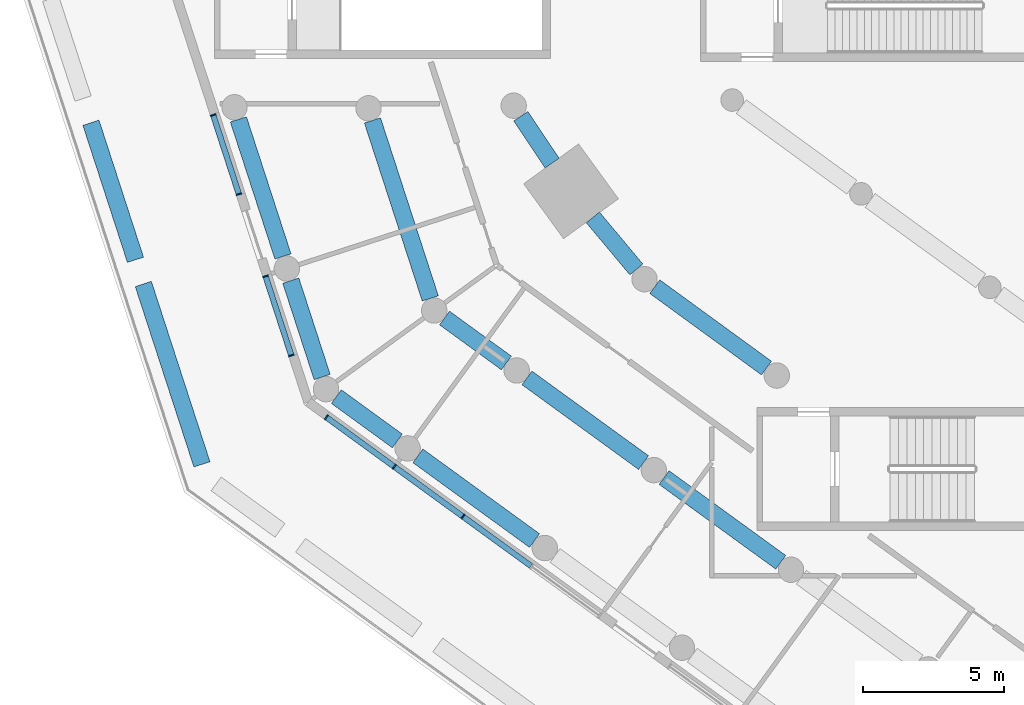
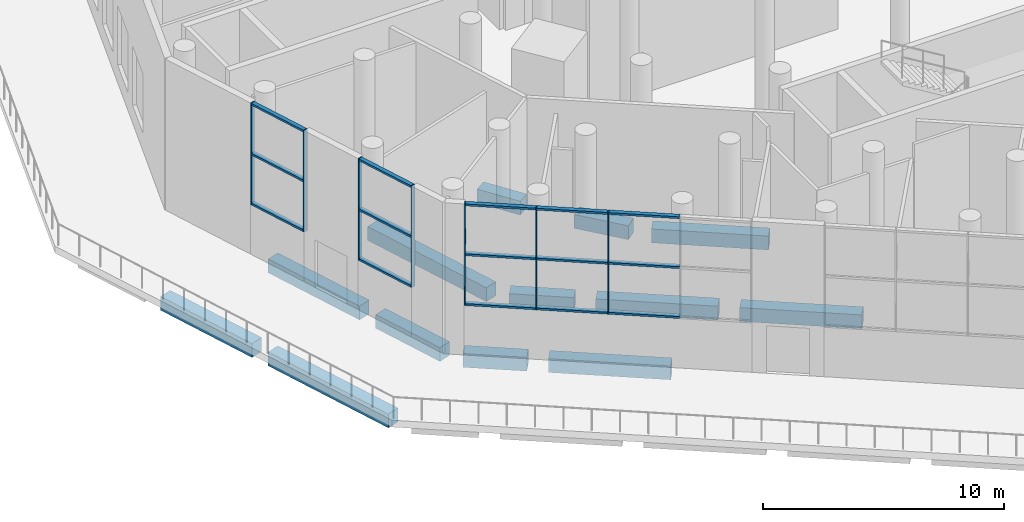
# One storey, part 3 of 23: 22 members, 13 beams, 3 elements without a shape of their own.
"""IFC4 building model written with IfcOpenShell, lengths in metres."""

from ifc_helpers import new_model, si_unit, direction, frame, origin, origin_2d, place, context, subcontext, project, spatial, rectangle, extrude, material, material_profile, profile_set, type_object, element, aggregate, save


model = new_model("IFC4")

# Units and contexts
model_context = context("Model", 3, precision=1e-05, world=origin(), true_north=direction((0.0, 1.0)))
body_context = subcontext(model_context, "Body", "Model", "MODEL_VIEW")
ifc_project = project(units=[si_unit("LENGTHUNIT", "METRE"), si_unit("AREAUNIT", "SQUARE_METRE"), si_unit("VOLUMEUNIT", "CUBIC_METRE"), si_unit("PLANEANGLEUNIT", "RADIAN"), si_unit("MASSUNIT", "GRAM", prefix="KILO")], contexts=[model_context])

# Site, building, storey
site_placement = place(None, origin())
site = spatial("IfcSite", under=ifc_project, at=site_placement, CompositionType="ELEMENT")
building_placement = place(site_placement, origin())
building = spatial("IfcBuilding", under=site, at=building_placement, Name="White Candle Pilgrim Tower", CompositionType="ELEMENT")
storey_placement = place(building_placement, frame((0.0, 0.0, 15.0)))
storey = spatial("IfcBuildingStorey", under=building, at=storey_placement, Name="L02", CompositionType="ELEMENT", Elevation=15.0)

# Curtain wall, members
ifc_material_1 = material(Name="Aluminium and glass", Category="aluminium")
curtain_wall_type = type_object("IfcCurtainWallType", Name="Curtain wall CW2 prayer hall clerestory", PredefinedType="NOTDEFINED", material=ifc_material_1)
curtain_wall_1_placement = place(storey_placement, origin())
curtain_wall_1 = element("IfcCurtainWall", 1, at=curtain_wall_1_placement, inside=storey, type_object=curtain_wall_type, Name="Curtain wall CW2 L02 W chamfer", PredefinedType="NOTDEFINED")
ifc_material_2 = material(Name="Aluminium", Category="aluminium")
ifc_material_profile_1 = material_profile(ifc_material_2, rectangle(XDim=0.199951171875, YDim=0.050048828125, at=origin_2d()), Name="CW2 mullion 50x200")
ifc_profile_set_1 = profile_set([ifc_material_profile_1], Name="Aluminium")
member_type_1 = type_object("IfcMemberType", Name="CW2 mullion 50x200", PredefinedType="MULLION", material=ifc_profile_set_1)
member_1_placement = place(storey_placement, frame((35.756591796875, 56.001708984375, 2.5), z_axis=(0.0, 0.0, 1.0), x_axis=(0.951056514386, 0.309017000251, 0.0)))
member_1 = element("IfcMember", 2, at=member_1_placement, type_object=member_type_1, Name="CW2 mullion 1", PredefinedType="MULLION", context=body_context, shape_type="SweptSolid", body=[
    extrude(rectangle(XDim=0.199951171875, YDim=0.050048828125, at=origin_2d()), origin(), (0.0, 0.0, 1.0), 5.14990234375),
])
member_2_placement = place(storey_placement, frame((36.668212890625, 53.196044921875, 2.5), z_axis=(0.0, 0.0, 1.0), x_axis=(0.951056514386, 0.309017000251, 0.0)))
member_2 = element("IfcMember", 3, at=member_2_placement, type_object=member_type_1, Name="CW2 mullion 2", PredefinedType="MULLION", context=body_context, shape_type="SweptSolid", body=[
    extrude(rectangle(XDim=0.199951171875, YDim=0.050048828125, at=origin_2d()), origin(), (0.0, 0.0, 1.0), 5.14990234375),
])

curtain_wall_2_placement = place(storey_placement, origin())
curtain_wall_2 = element("IfcCurtainWall", 4, at=curtain_wall_2_placement, inside=storey, type_object=curtain_wall_type, Name="Curtain wall CW2 L02 W chamfer", PredefinedType="NOTDEFINED")
member_3_placement = place(storey_placement, frame((37.61083984375, 50.29541015625, 2.5), z_axis=(0.0, 0.0, 1.0), x_axis=(0.951056514456, 0.309017000035, 0.0)))
member_3 = element("IfcMember", 5, at=member_3_placement, type_object=member_type_1, Name="CW2 mullion 1", PredefinedType="MULLION", context=body_context, shape_type="SweptSolid", body=[
    extrude(rectangle(XDim=0.199951171875, YDim=0.050048828125, at=origin_2d()), origin(), (0.0, 0.0, 1.0), 5.14990234375),
])
member_4_placement = place(storey_placement, frame((38.5224609375, 47.48974609375, 2.5), z_axis=(0.0, 0.0, 1.0), x_axis=(0.951056514456, 0.309017000035, 0.0)))
member_4 = element("IfcMember", 6, at=member_4_placement, type_object=member_type_1, Name="CW2 mullion 2", PredefinedType="MULLION", context=body_context, shape_type="SweptSolid", body=[
    extrude(rectangle(XDim=0.199951171875, YDim=0.050048828125, at=origin_2d()), origin(), (0.0, 0.0, 1.0), 5.14990234375),
])

curtain_wall_3_placement = place(storey_placement, origin())
curtain_wall_3 = element("IfcCurtainWall", 7, at=curtain_wall_3_placement, inside=storey, type_object=curtain_wall_type, Name="Curtain wall CW2 L02 SW", PredefinedType="NOTDEFINED")
member_5_placement = place(storey_placement, frame((39.76025390625, 45.3037109375, 2.5), z_axis=(0.0, 0.0, 1.0), x_axis=(0.587785249398, 0.809016996478, 0.0)))
member_5 = element("IfcMember", 8, at=member_5_placement, type_object=member_type_1, Name="CW2 mullion 1", PredefinedType="MULLION", context=body_context, shape_type="SweptSolid", body=[
    extrude(rectangle(XDim=0.199951171875, YDim=0.050048828125, at=origin_2d()), origin(), (0.0, 0.0, 1.0), 5.14990234375),
])
member_6_placement = place(storey_placement, frame((42.167236328125, 43.55517578125, 2.5), z_axis=(0.0, 0.0, 1.0), x_axis=(0.587785249398, 0.809016996478, 0.0)))
member_6 = element("IfcMember", 9, at=member_6_placement, type_object=member_type_1, Name="CW2 mullion 2", PredefinedType="MULLION", context=body_context, shape_type="SweptSolid", body=[
    extrude(rectangle(XDim=0.199951171875, YDim=0.050048828125, at=origin_2d()), origin(), (0.0, 0.0, 1.0), 5.14990234375),
])
member_7_placement = place(storey_placement, frame((44.59423828125, 41.791748046875, 2.5), z_axis=(0.0, 0.0, 1.0), x_axis=(0.587785249398, 0.809016996478, 0.0)))
member_7 = element("IfcMember", 10, at=member_7_placement, type_object=member_type_1, Name="CW2 mullion 3", PredefinedType="MULLION", context=body_context, shape_type="SweptSolid", body=[
    extrude(rectangle(XDim=0.199951171875, YDim=0.050048828125, at=origin_2d()), origin(), (0.0, 0.0, 1.0), 5.14990234375),
])

# Member
ifc_material_profile_2 = material_profile(ifc_material_2, rectangle(XDim=0.199951171875, YDim=0.10009765625, at=origin_2d()), Name="CW2 transom 100x200")
ifc_profile_set_2 = profile_set([ifc_material_profile_2], Name="Aluminium")
member_type_2 = type_object("IfcMemberType", Name="CW2 transom 100x200", PredefinedType="USERDEFINED", material=ifc_profile_set_2)
member_8_placement = place(storey_placement, frame((35.764404296875, 55.97802734375, 2.550048828125), z_axis=(0.309046096893, -0.951047059821, 0.0), x_axis=(0.951047059821, 0.309046096893, 0.0)))
member_8 = element("IfcMember", 11, at=member_8_placement, type_object=member_type_2, Name="CW2 transom 1.1", ObjectType="TRANSOM", PredefinedType="USERDEFINED", context=body_context, shape_type="SweptSolid", body=[
    extrude(rectangle(XDim=0.199951171875, YDim=0.10009765625, at=origin_2d()), origin(), (0.0, 0.0, 1.0), 2.89990234375),
])

member_9_placement = place(storey_placement, frame((35.764404296875, 55.97802734375, 5.074951171875), z_axis=(0.309046096893, -0.951047059821, 0.0), x_axis=(0.951047059821, 0.309046096893, 0.0)))
member_9 = element("IfcMember", 12, at=member_9_placement, type_object=member_type_2, Name="CW2 transom 1.2", ObjectType="TRANSOM", PredefinedType="USERDEFINED", context=body_context, shape_type="SweptSolid", body=[
    extrude(rectangle(XDim=0.199951171875, YDim=0.10009765625, at=origin_2d()), origin(), (0.0, 0.0, 1.0), 2.89990234375),
])

member_10_placement = place(storey_placement, frame((35.764404296875, 55.97802734375, 7.60009765625), z_axis=(0.309046096893, -0.951047059821, 0.0), x_axis=(0.951047059821, 0.309046096893, 0.0)))
member_10 = element("IfcMember", 13, at=member_10_placement, type_object=member_type_2, Name="CW2 transom 1.3", ObjectType="TRANSOM", PredefinedType="USERDEFINED", context=body_context, shape_type="SweptSolid", body=[
    extrude(rectangle(XDim=0.199951171875, YDim=0.10009765625, at=origin_2d()), origin(), (0.0, 0.0, 1.0), 2.89990234375),
])

aggregate(curtain_wall_1, [member_1, member_2, member_8, member_9, member_10])

member_11_placement = place(storey_placement, frame((37.618408203125, 50.271728515625, 2.550048828125), z_axis=(0.309046096893, -0.951047059821, 0.0), x_axis=(0.951047059821, 0.309046096893, 0.0)))
member_11 = element("IfcMember", 14, at=member_11_placement, type_object=member_type_2, Name="CW2 transom 1.1", ObjectType="TRANSOM", PredefinedType="USERDEFINED", context=body_context, shape_type="SweptSolid", body=[
    extrude(rectangle(XDim=0.199951171875, YDim=0.10009765625, at=origin_2d()), origin(), (0.0, 0.0, 1.0), 2.89990234375),
])

member_12_placement = place(storey_placement, frame((37.618408203125, 50.271728515625, 5.074951171875), z_axis=(0.309046096893, -0.951047059821, 0.0), x_axis=(0.951047059821, 0.309046096893, 0.0)))
member_12 = element("IfcMember", 15, at=member_12_placement, type_object=member_type_2, Name="CW2 transom 1.2", ObjectType="TRANSOM", PredefinedType="USERDEFINED", context=body_context, shape_type="SweptSolid", body=[
    extrude(rectangle(XDim=0.199951171875, YDim=0.10009765625, at=origin_2d()), origin(), (0.0, 0.0, 1.0), 2.89990234375),
])

member_13_placement = place(storey_placement, frame((37.618408203125, 50.271728515625, 7.60009765625), z_axis=(0.309046096893, -0.951047059821, 0.0), x_axis=(0.951047059821, 0.309046096893, 0.0)))
member_13 = element("IfcMember", 16, at=member_13_placement, type_object=member_type_2, Name="CW2 transom 1.3", ObjectType="TRANSOM", PredefinedType="USERDEFINED", context=body_context, shape_type="SweptSolid", body=[
    extrude(rectangle(XDim=0.199951171875, YDim=0.10009765625, at=origin_2d()), origin(), (0.0, 0.0, 1.0), 2.89990234375),
])

aggregate(curtain_wall_2, [member_3, member_4, member_11, member_12, member_13])

member_14_placement = place(storey_placement, frame((39.780517578125, 45.2890625, 2.550048828125), z_axis=(0.80903194638, -0.587764672073, 0.0), x_axis=(0.587764672073, 0.80903194638, 0.0)))
member_14 = element("IfcMember", 17, at=member_14_placement, type_object=member_type_2, Name="CW2 transom 1.1", ObjectType="TRANSOM", PredefinedType="USERDEFINED", context=body_context, shape_type="SweptSolid", body=[
    extrude(rectangle(XDim=0.199951171875, YDim=0.10009765625, at=origin_2d()), origin(), (0.0, 0.0, 1.0), 2.925048828125),
])

member_15_placement = place(storey_placement, frame((39.780517578125, 45.2890625, 5.074951171875), z_axis=(0.80903194638, -0.587764672073, 0.0), x_axis=(0.587764672073, 0.80903194638, 0.0)))
member_15 = element("IfcMember", 18, at=member_15_placement, type_object=member_type_2, Name="CW2 transom 1.2", ObjectType="TRANSOM", PredefinedType="USERDEFINED", context=body_context, shape_type="SweptSolid", body=[
    extrude(rectangle(XDim=0.199951171875, YDim=0.10009765625, at=origin_2d()), origin(), (0.0, 0.0, 1.0), 2.925048828125),
])

member_16_placement = place(storey_placement, frame((39.780517578125, 45.2890625, 7.60009765625), z_axis=(0.80903194638, -0.587764672073, 0.0), x_axis=(0.587764672073, 0.80903194638, 0.0)))
member_16 = element("IfcMember", 19, at=member_16_placement, type_object=member_type_2, Name="CW2 transom 1.3", ObjectType="TRANSOM", PredefinedType="USERDEFINED", context=body_context, shape_type="SweptSolid", body=[
    extrude(rectangle(XDim=0.199951171875, YDim=0.10009765625, at=origin_2d()), origin(), (0.0, 0.0, 1.0), 2.925048828125),
])

member_17_placement = place(storey_placement, frame((42.1875, 43.540283203125, 2.550048828125), z_axis=(0.809015152931, -0.587787786815, 0.0), x_axis=(0.587787786815, 0.809015152931, 0.0)))
member_17 = element("IfcMember", 20, at=member_17_placement, type_object=member_type_2, Name="CW2 transom 2.1", ObjectType="TRANSOM", PredefinedType="USERDEFINED", context=body_context, shape_type="SweptSolid", body=[
    extrude(rectangle(XDim=0.199951171875, YDim=0.10009765625, at=origin_2d()), origin(), (0.0, 0.0, 1.0), 2.949951171875),
])

member_18_placement = place(storey_placement, frame((42.1875, 43.540283203125, 5.074951171875), z_axis=(0.809015152931, -0.587787786815, 0.0), x_axis=(0.587787786815, 0.809015152931, 0.0)))
member_18 = element("IfcMember", 21, at=member_18_placement, type_object=member_type_2, Name="CW2 transom 2.2", ObjectType="TRANSOM", PredefinedType="USERDEFINED", context=body_context, shape_type="SweptSolid", body=[
    extrude(rectangle(XDim=0.199951171875, YDim=0.10009765625, at=origin_2d()), origin(), (0.0, 0.0, 1.0), 2.949951171875),
])

member_19_placement = place(storey_placement, frame((42.1875, 43.540283203125, 7.60009765625), z_axis=(0.809015152931, -0.587787786815, 0.0), x_axis=(0.587787786815, 0.809015152931, 0.0)))
member_19 = element("IfcMember", 22, at=member_19_placement, type_object=member_type_2, Name="CW2 transom 2.3", ObjectType="TRANSOM", PredefinedType="USERDEFINED", context=body_context, shape_type="SweptSolid", body=[
    extrude(rectangle(XDim=0.199951171875, YDim=0.10009765625, at=origin_2d()), origin(), (0.0, 0.0, 1.0), 2.949951171875),
])

member_20_placement = place(storey_placement, frame((44.614501953125, 41.777099609375, 2.550048828125), z_axis=(0.808975796474, -0.587841952159, 0.0), x_axis=(0.587841952159, 0.808975796474, 0.0)))
member_20 = element("IfcMember", 23, at=member_20_placement, type_object=member_type_2, Name="CW2 transom 3.1", ObjectType="TRANSOM", PredefinedType="USERDEFINED", context=body_context, shape_type="SweptSolid", body=[
    extrude(rectangle(XDim=0.199951171875, YDim=0.10009765625, at=origin_2d()), origin(), (0.0, 0.0, 1.0), 2.949951171875),
])

member_21_placement = place(storey_placement, frame((44.614501953125, 41.777099609375, 5.074951171875), z_axis=(0.808975796474, -0.587841952159, 0.0), x_axis=(0.587841952159, 0.808975796474, 0.0)))
member_21 = element("IfcMember", 24, at=member_21_placement, type_object=member_type_2, Name="CW2 transom 3.2", ObjectType="TRANSOM", PredefinedType="USERDEFINED", context=body_context, shape_type="SweptSolid", body=[
    extrude(rectangle(XDim=0.199951171875, YDim=0.10009765625, at=origin_2d()), origin(), (0.0, 0.0, 1.0), 2.949951171875),
])

member_22_placement = place(storey_placement, frame((44.614501953125, 41.777099609375, 7.60009765625), z_axis=(0.808975796474, -0.587841952159, 0.0), x_axis=(0.587841952159, 0.808975796474, 0.0)))
member_22 = element("IfcMember", 25, at=member_22_placement, type_object=member_type_2, Name="CW2 transom 3.3", ObjectType="TRANSOM", PredefinedType="USERDEFINED", context=body_context, shape_type="SweptSolid", body=[
    extrude(rectangle(XDim=0.199951171875, YDim=0.10009765625, at=origin_2d()), origin(), (0.0, 0.0, 1.0), 2.949951171875),
])

aggregate(curtain_wall_3, [member_5, member_6, member_7, member_14, member_15, member_16, member_17, member_18, member_19, member_20, member_21, member_22])

# Beams
ifc_material_3 = material(Name="Concrete C50/60", Category="concrete")
ifc_material_profile_3 = material_profile(ifc_material_3, rectangle(XDim=0.60009765625, YDim=0.699951171875, at=origin_2d()), Name="RC-BM 600x700")
ifc_profile_set_3 = profile_set([ifc_material_profile_3], Name="Concrete C50/60")
beam_type = type_object("IfcBeamType", Name="Spandrel beam RC-BM 600x700 C50/60", PredefinedType="BEAM", material=ifc_profile_set_3)
beam_1_placement = place(storey_placement, frame((46.640380859375, 55.956298828125, -0.699951171875), z_axis=(0.556617573138, -0.830768847077, 0.0), x_axis=(0.830768847077, 0.556617573138, 0.0)))
element("IfcBeam", 26, at=beam_1_placement, inside=storey, type_object=beam_type, Name="L02 spandrel beam T01", PredefinedType="BEAM", context=body_context, shape_type="SweptSolid", body=[
    extrude(rectangle(XDim=0.60009765625, YDim=0.699951171875, at=origin_2d()), origin(), (0.0, 0.0, 1.0), 1.99658203125),
])
beam_2_placement = place(storey_placement, frame((49.19140625, 52.377197265625, -0.699951171875), z_axis=(0.641413771477, -0.767195134083, 0.0), x_axis=(0.767195134083, 0.641413771477, 0.0)))
element("IfcBeam", 27, at=beam_2_placement, inside=storey, type_object=beam_type, Name="L02 spandrel beam T02", PredefinedType="BEAM", context=body_context, shape_type="SweptSolid", body=[
    extrude(rectangle(XDim=0.60009765625, YDim=0.699951171875, at=origin_2d()), origin(), (0.0, 0.0, 1.0), 2.401123046875),
])
beam_3_placement = place(storey_placement, frame((51.383544921875, 49.925048828125, -0.699951171875), z_axis=(0.808219865497, -0.588880844498, 0.0), x_axis=(0.588880844498, 0.808219865497, 0.0)))
element("IfcBeam", 28, at=beam_3_placement, inside=storey, type_object=beam_type, Name="L02 spandrel beam T03", PredefinedType="BEAM", context=body_context, shape_type="SweptSolid", body=[
    extrude(rectangle(XDim=0.60009765625, YDim=0.699951171875, at=origin_2d()), origin(), (0.0, 0.0, 1.0), 4.890869140625),
])
beam_4_placement = place(storey_placement, frame((31.429931640625, 55.726318359375, -0.699951171875), z_axis=(0.309038447078, -0.951049545622, 0.0), x_axis=(0.951049545622, 0.309038447078, 0.0)))
element("IfcBeam", 29, at=beam_4_placement, inside=storey, type_object=beam_type, Name="L02 spandrel beam A02", PredefinedType="BEAM", context=body_context, shape_type="SweptSolid", body=[
    extrude(rectangle(XDim=0.60009765625, YDim=0.699951171875, at=origin_2d()), origin(), (0.0, 0.0, 1.0), 5.100341796875),
])
beam_5_placement = place(storey_placement, frame((33.283935546875, 50.020263671875, -0.699951171875), z_axis=(0.309037539507, -0.951049840532, 0.0), x_axis=(0.951049840532, 0.309037539507, 0.0)))
element("IfcBeam", 30, at=beam_5_placement, inside=storey, type_object=beam_type, Name="L02 spandrel beam A03", PredefinedType="BEAM", context=body_context, shape_type="SweptSolid", body=[
    extrude(rectangle(XDim=0.60009765625, YDim=0.699951171875, at=origin_2d()), origin(), (0.0, 0.0, 1.0), 6.711181640625),
])
beam_6_placement = place(storey_placement, frame((36.64892578125, 55.84521484375, -0.699951171875), z_axis=(0.308996245399, -0.951063257796, 0.0), x_axis=(0.951063257796, 0.308996245399, 0.0)))
element("IfcBeam", 31, at=beam_6_placement, inside=storey, type_object=beam_type, Name="L02 spandrel beam B01", PredefinedType="BEAM", context=body_context, shape_type="SweptSolid", body=[
    extrude(rectangle(XDim=0.60009765625, YDim=0.699951171875, at=origin_2d()), origin(), (0.0, 0.0, 1.0), 5.100830078125),
])
beam_7_placement = place(storey_placement, frame((38.5029296875, 50.13818359375, -0.699951171875), z_axis=(0.309029111375, -0.951052579158, 0.0), x_axis=(0.951052579158, 0.309029111375, 0.0)))
element("IfcBeam", 32, at=beam_7_placement, inside=storey, type_object=beam_type, Name="L02 spandrel beam B02", PredefinedType="BEAM", context=body_context, shape_type="SweptSolid", body=[
    extrude(rectangle(XDim=0.60009765625, YDim=0.699951171875, at=origin_2d()), origin(), (0.0, 0.0, 1.0), 3.5859375),
])
beam_8_placement = place(storey_placement, frame((40.11376953125, 46.03564453125, -0.699951171875), z_axis=(0.808941690676, -0.587888884982, 0.0), x_axis=(0.587888884982, 0.808941690676, 0.0)))
element("IfcBeam", 33, at=beam_8_placement, inside=storey, type_object=beam_type, Name="L02 spandrel beam B03", PredefinedType="BEAM", context=body_context, shape_type="SweptSolid", body=[
    extrude(rectangle(XDim=0.60009765625, YDim=0.699951171875, at=origin_2d()), origin(), (0.0, 0.0, 1.0), 2.66943359375),
])
beam_9_placement = place(storey_placement, frame((43.0009765625, 43.937744140625, -0.699951171875), z_axis=(0.809112607881, -0.587653629078, 0.0), x_axis=(0.587653629078, 0.809112607881, 0.0)))
element("IfcBeam", 34, at=beam_9_placement, inside=storey, type_object=beam_type, Name="L02 spandrel beam B04", PredefinedType="BEAM", context=body_context, shape_type="SweptSolid", body=[
    extrude(rectangle(XDim=0.60009765625, YDim=0.699951171875, at=origin_2d()), origin(), (0.0, 0.0, 1.0), 5.100830078125),
])
beam_10_placement = place(storey_placement, frame((41.39208984375, 55.80908203125, -0.699951171875), z_axis=(0.308987736587, -0.951066022229, 0.0), x_axis=(0.951066022229, 0.308987736587, 0.0)))
element("IfcBeam", 35, at=beam_10_placement, inside=storey, type_object=beam_type, Name="L02 spandrel beam C01", PredefinedType="BEAM", context=body_context, shape_type="SweptSolid", body=[
    extrude(rectangle(XDim=0.60009765625, YDim=0.699951171875, at=origin_2d()), origin(), (0.0, 0.0, 1.0), 6.62451171875),
])
beam_11_placement = place(storey_placement, frame((43.94189453125, 48.816650390625, -0.699951171875), z_axis=(0.809008975915, -0.587796288598, 0.0), x_axis=(0.587796288598, 0.809008975915, 0.0)))
element("IfcBeam", 36, at=beam_11_placement, inside=storey, type_object=beam_type, Name="L02 spandrel beam C02", PredefinedType="BEAM", context=body_context, shape_type="SweptSolid", body=[
    extrude(rectangle(XDim=0.60009765625, YDim=0.699951171875, at=origin_2d()), origin(), (0.0, 0.0, 1.0), 2.707275390625),
])
beam_12_placement = place(storey_placement, frame((46.85986328125, 46.696533203125, -0.699951171875), z_axis=(0.80900095282, -0.587807330965, 0.0), x_axis=(0.587807330965, 0.80900095282, 0.0)))
element("IfcBeam", 37, at=beam_12_placement, inside=storey, type_object=beam_type, Name="L02 spandrel beam C03", PredefinedType="BEAM", context=body_context, shape_type="SweptSolid", body=[
    extrude(rectangle(XDim=0.60009765625, YDim=0.699951171875, at=origin_2d()), origin(), (0.0, 0.0, 1.0), 5.100341796875),
])
beam_13_placement = place(storey_placement, frame((51.7138671875, 43.169677734375, -0.699951171875), z_axis=(0.809069240735, -0.587713334625, 0.0), x_axis=(0.587713334625, 0.809069240735, 0.0)))
element("IfcBeam", 38, at=beam_13_placement, inside=storey, type_object=beam_type, Name="L02 spandrel beam C04", PredefinedType="BEAM", context=body_context, shape_type="SweptSolid", body=[
    extrude(rectangle(XDim=0.60009765625, YDim=0.699951171875, at=origin_2d()), origin(), (0.0, 0.0, 1.0), 5.099853515625),
])

save(model, "model.ifc")
